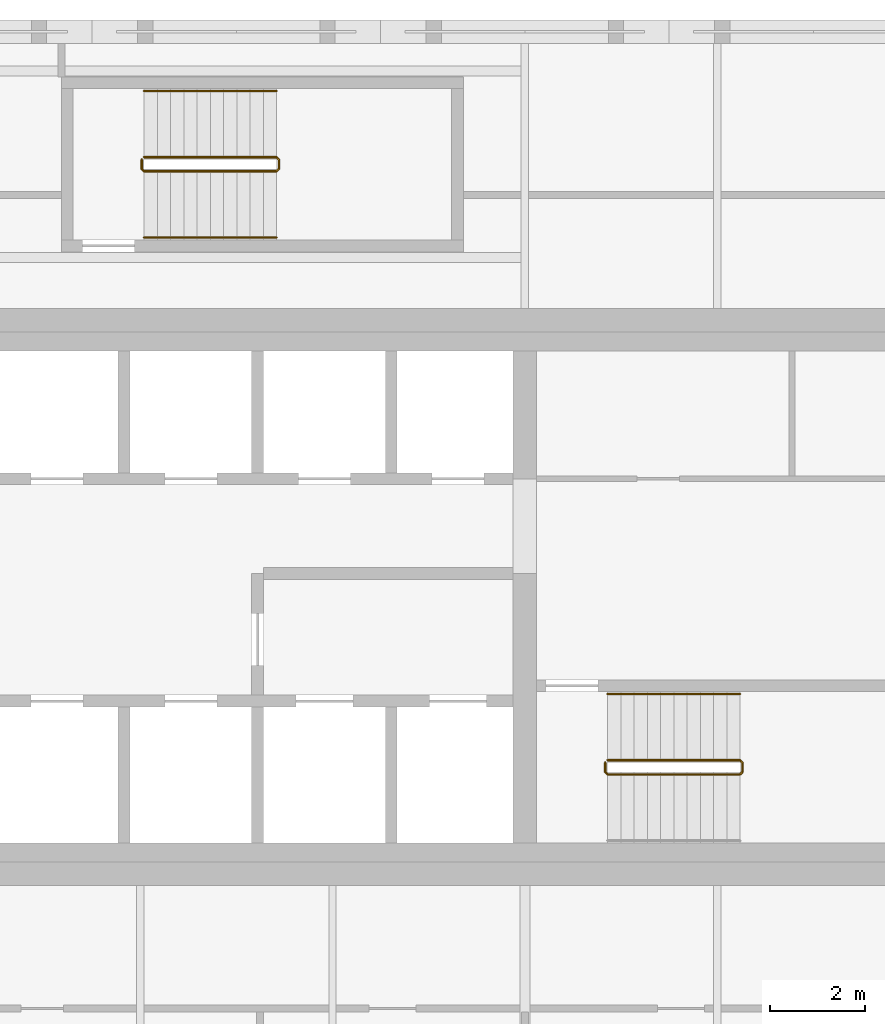
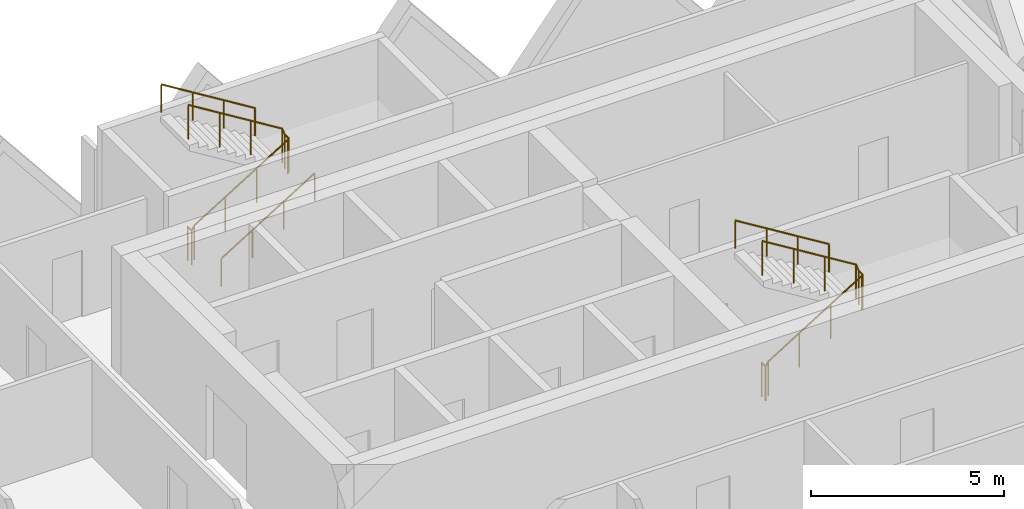
# One storey, part 18 of 18: 5 railings.
"""IFC4 building model written with IfcOpenShell, lengths in metres."""

from ifc_helpers import new_model, si_unit, direction, frame, origin, origin_2d, place, context, subcontext, project, spatial, circle, extrude, material, type_object, element, save


model = new_model("IFC4")

# Units and contexts
model_context = context("Model", 3, precision=1e-05, world=origin(), true_north=direction((0.0, 1.0)))
body_context = subcontext(model_context, "Body", "Model", "MODEL_VIEW")
ifc_project = project(units=[si_unit("LENGTHUNIT", "METRE"), si_unit("AREAUNIT", "SQUARE_METRE"), si_unit("VOLUMEUNIT", "CUBIC_METRE"), si_unit("PLANEANGLEUNIT", "RADIAN"), si_unit("MASSUNIT", "GRAM", prefix="KILO")], contexts=[model_context])

# Site, building, storey
site_placement = place(None, origin())
site = spatial("IfcSite", under=ifc_project, at=site_placement, CompositionType="ELEMENT")
building_placement = place(site_placement, origin())
building = spatial("IfcBuilding", under=site, at=building_placement, Name="Tessera Gate Towers", CompositionType="ELEMENT")
storey_placement = place(building_placement, frame((0.0, 0.0, 95.199951171875)))
storey = spatial("IfcBuildingStorey", under=building, at=storey_placement, Name="L23", CompositionType="ELEMENT", Elevation=95.199951171875)

# Railings
ifc_material_1 = material(Name="Steel 350W", Category="steel")
railing_type_1 = type_object("IfcRailingType", Name="STAIR GUARD 1100", PredefinedType="GUARDRAIL", material=ifc_material_1)
railing_1_placement = place(storey_placement, frame((111.5, 39.199951171875, 0.0)))
element("IfcRailing", 1, at=railing_1_placement, inside=storey, type_object=railing_type_1, Name="L23 ST6 stair guard 1", PredefinedType="GUARDRAIL", context=body_context, shape_type="SweptSolid", body=[
    extrude(circle(Radius=0.02392578125, at=origin_2d()), frame((0.0, 0.0, 1.076171875), z_axis=(0.0, -1.0, 0.0), x_axis=(1.0, 0.0, 0.0)), (0.0, 0.0, 1.0), 0.199951171875),
    extrude(circle(Radius=0.02392578125, at=origin_2d()), frame((0.0, -0.199951171875, 1.076171875), z_axis=(0.267953482034, -0.267953482034, 0.925419830635), x_axis=(0.707106781187, 0.707106781187, 0.0)), (0.0, 0.0, 1.0), 0.186767578125),
    extrude(circle(Radius=0.02392578125, at=origin_2d()), frame((0.050048828125, -0.25, 1.2490234375), z_axis=(0.851089632645, 0.0, 0.525020415988), x_axis=(0.0, 1.0, 0.0)), (0.0, 0.0, 1.0), 3.2900390625),
    extrude(circle(Radius=0.02392578125, at=origin_2d()), frame((2.85009765625, -0.25, 2.97607421875), z_axis=(0.705375805398, 0.708833529934, 0.0), x_axis=(-0.708833529934, 0.705375805398, 0.0)), (0.0, 0.0, 1.0), 0.070556640625),
    extrude(circle(Radius=0.02392578125, at=origin_2d()), frame((2.89990234375, -0.199951171875, 2.97607421875), z_axis=(0.0, 1.0, 0.0), x_axis=(-1.0, 0.0, 0.0)), (0.0, 0.0, 1.0), 0.199951171875),
    extrude(circle(Radius=0.02392578125, at=origin_2d()), frame((2.89990234375, 0.0, 2.97607421875), z_axis=(-0.267062837333, 0.268371968888, 0.925556009775), x_axis=(-0.708833529934, -0.705375805398, 0.0)), (0.0, 0.0, 1.0), 0.1865234375),
    extrude(circle(Radius=0.02392578125, at=origin_2d()), frame((2.85009765625, 0.050048828125, 3.14892578125), z_axis=(-0.851089632645, 0.0, 0.525020415988), x_axis=(0.0, -1.0, 0.0)), (0.0, 0.0, 1.0), 3.2900390625),
    extrude(circle(Radius=0.02099609375, at=origin_2d()), origin(), (0.0, 0.0, 1.0), 1.052001953125),
    extrude(circle(Radius=0.02099609375, at=origin_2d()), frame((0.0, -0.199951171875, 0.0)), (0.0, 0.0, 1.0), 1.052001953125),
    extrude(circle(Radius=0.02099609375, at=origin_2d()), frame((0.050048828125, -0.25, 0.1728515625)), (0.0, 0.0, 1.0), 1.052001953125),
    extrude(circle(Radius=0.02099609375, at=origin_2d()), frame((0.9833984375, -0.25, 0.74853515625)), (0.0, 0.0, 1.0), 1.052001953125),
    extrude(circle(Radius=0.02099609375, at=origin_2d()), frame((1.916748046875, -0.25, 1.324462890625)), (0.0, 0.0, 1.0), 1.052001953125),
    extrude(circle(Radius=0.02099609375, at=origin_2d()), frame((2.85009765625, -0.25, 1.900146484375)), (0.0, 0.0, 1.0), 1.052001953125),
    extrude(circle(Radius=0.02099609375, at=origin_2d()), frame((2.89990234375, -0.199951171875, 1.900146484375)), (0.0, 0.0, 1.0), 1.052001953125),
    extrude(circle(Radius=0.02099609375, at=origin_2d()), frame((2.89990234375, 0.0, 1.900146484375)), (0.0, 0.0, 1.0), 1.052001953125),
    extrude(circle(Radius=0.02099609375, at=origin_2d()), frame((2.85009765625, 0.050048828125, 2.07275390625)), (0.0, 0.0, 1.0), 1.052001953125),
    extrude(circle(Radius=0.02099609375, at=origin_2d()), frame((1.916748046875, 0.050048828125, 2.6484375)), (0.0, 0.0, 1.0), 1.052001953125),
    extrude(circle(Radius=0.02099609375, at=origin_2d()), frame((0.9833984375, 0.050048828125, 3.224365234375)), (0.0, 0.0, 1.0), 1.052001953125),
    extrude(circle(Radius=0.02099609375, at=origin_2d()), frame((0.050048828125, 0.050048828125, 3.800048828125)), (0.0, 0.0, 1.0), 1.052001953125),
])
railing_2_placement = place(storey_placement, frame((101.699951171875, 51.949951171875, 0.0)))
element("IfcRailing", 2, at=railing_2_placement, inside=storey, type_object=railing_type_1, Name="L23 ST7 stair guard 1", PredefinedType="GUARDRAIL", context=body_context, shape_type="SweptSolid", body=[
    extrude(circle(Radius=0.02392578125, at=origin_2d()), frame((0.0, 0.0, 1.076171875), z_axis=(0.0, -1.0, 0.0), x_axis=(1.0, 0.0, 0.0)), (0.0, 0.0, 1.0), 0.199951171875),
    extrude(circle(Radius=0.02392578125, at=origin_2d()), frame((0.0, -0.199951171875, 1.076171875), z_axis=(0.267953482034, -0.267953482034, 0.925419830635), x_axis=(0.707106781187, 0.707106781187, 0.0)), (0.0, 0.0, 1.0), 0.186767578125),
    extrude(circle(Radius=0.02392578125, at=origin_2d()), frame((0.050048828125, -0.25, 1.2490234375), z_axis=(0.851089632645, 0.0, 0.525020415988), x_axis=(0.0, 1.0, 0.0)), (0.0, 0.0, 1.0), 3.2900390625),
    extrude(circle(Radius=0.02392578125, at=origin_2d()), frame((2.85009765625, -0.25, 2.97607421875), z_axis=(0.707106781187, 0.707106781187, 0.0), x_axis=(-0.707106781187, 0.707106781187, 0.0)), (0.0, 0.0, 1.0), 0.07080078125),
    extrude(circle(Radius=0.02392578125, at=origin_2d()), frame((2.900146484375, -0.199951171875, 2.97607421875), z_axis=(0.0, 1.0, 0.0), x_axis=(-1.0, 0.0, 0.0)), (0.0, 0.0, 1.0), 0.199951171875),
    extrude(circle(Radius=0.02392578125, at=origin_2d()), frame((2.900146484375, 0.0, 2.97607421875), z_axis=(-0.268277960024, 0.268277960024, 0.925231793839), x_axis=(-0.707106781187, -0.707106781187, 0.0)), (0.0, 0.0, 1.0), 0.1865234375),
    extrude(circle(Radius=0.02392578125, at=origin_2d()), frame((2.85009765625, 0.050048828125, 3.14892578125), z_axis=(-0.851089632645, 0.0, 0.525020415988), x_axis=(0.0, -1.0, 0.0)), (0.0, 0.0, 1.0), 3.2900390625),
    extrude(circle(Radius=0.02099609375, at=origin_2d()), origin(), (0.0, 0.0, 1.0), 1.052001953125),
    extrude(circle(Radius=0.02099609375, at=origin_2d()), frame((0.0, -0.199951171875, 0.0)), (0.0, 0.0, 1.0), 1.052001953125),
    extrude(circle(Radius=0.02099609375, at=origin_2d()), frame((0.050048828125, -0.25, 0.1728515625)), (0.0, 0.0, 1.0), 1.052001953125),
    extrude(circle(Radius=0.02099609375, at=origin_2d()), frame((0.9833984375, -0.25, 0.74853515625)), (0.0, 0.0, 1.0), 1.052001953125),
    extrude(circle(Radius=0.02099609375, at=origin_2d()), frame((1.916748046875, -0.25, 1.324462890625)), (0.0, 0.0, 1.0), 1.052001953125),
    extrude(circle(Radius=0.02099609375, at=origin_2d()), frame((2.85009765625, -0.25, 1.900146484375)), (0.0, 0.0, 1.0), 1.052001953125),
    extrude(circle(Radius=0.02099609375, at=origin_2d()), frame((2.900146484375, -0.199951171875, 1.900146484375)), (0.0, 0.0, 1.0), 1.052001953125),
    extrude(circle(Radius=0.02099609375, at=origin_2d()), frame((2.900146484375, 0.0, 1.900146484375)), (0.0, 0.0, 1.0), 1.052001953125),
    extrude(circle(Radius=0.02099609375, at=origin_2d()), frame((2.85009765625, 0.050048828125, 2.07275390625)), (0.0, 0.0, 1.0), 1.052001953125),
    extrude(circle(Radius=0.02099609375, at=origin_2d()), frame((1.916748046875, 0.050048828125, 2.6484375)), (0.0, 0.0, 1.0), 1.052001953125),
    extrude(circle(Radius=0.02099609375, at=origin_2d()), frame((0.9833984375, 0.050048828125, 3.224365234375)), (0.0, 0.0, 1.0), 1.052001953125),
    extrude(circle(Radius=0.02099609375, at=origin_2d()), frame((0.050048828125, 0.050048828125, 3.800048828125)), (0.0, 0.0, 1.0), 1.052001953125),
])
ifc_material_2 = material(Name="Steel 350W", Category="steel")
railing_type_2 = type_object("IfcRailingType", Name="STAIR HANDRAIL 900", PredefinedType="HANDRAIL", material=ifc_material_2)
railing_3_placement = place(storey_placement, frame((114.35009765625, 40.64990234375, 2.07275390625)))
element("IfcRailing", 3, at=railing_3_placement, inside=storey, type_object=railing_type_2, Name="L23 ST6 stair handrail 2", PredefinedType="HANDRAIL", context=body_context, shape_type="SweptSolid", body=[
    extrude(circle(Radius=0.02392578125, at=origin_2d()), frame((0.0, 0.0, 0.8759765625), z_axis=(-0.851089632645, 0.0, 0.525020415988), x_axis=(0.0, -1.0, 0.0)), (0.0, 0.0, 1.0), 3.2900390625),
    extrude(circle(Radius=0.02099609375, at=origin_2d()), origin(), (0.0, 0.0, 1.0), 0.851806640625),
    extrude(circle(Radius=0.02099609375, at=origin_2d()), frame((-0.933349609375, 0.0, 0.57568359375)), (0.0, 0.0, 1.0), 0.851806640625),
    extrude(circle(Radius=0.02099609375, at=origin_2d()), frame((-1.86669921875, 0.0, 1.151611328125)), (0.0, 0.0, 1.0), 0.851806640625),
    extrude(circle(Radius=0.02099609375, at=origin_2d()), frame((-2.800048828125, 0.0, 1.727294921875)), (0.0, 0.0, 1.0), 0.851806640625),
])
railing_4_placement = place(storey_placement, frame((101.75, 50.300048828125, 0.1728515625)))
element("IfcRailing", 4, at=railing_4_placement, inside=storey, type_object=railing_type_2, Name="L23 ST7 stair handrail 1", PredefinedType="HANDRAIL", context=body_context, shape_type="SweptSolid", body=[
    extrude(circle(Radius=0.02392578125, at=origin_2d()), frame((0.0, 0.0, 0.8759765625), z_axis=(0.851089632645, 0.0, 0.525020415988), x_axis=(0.0, 1.0, 0.0)), (0.0, 0.0, 1.0), 3.2900390625),
    extrude(circle(Radius=0.02099609375, at=origin_2d()), origin(), (0.0, 0.0, 1.0), 0.851806640625),
    extrude(circle(Radius=0.02099609375, at=origin_2d()), frame((0.933349609375, 0.0, 0.57568359375)), (0.0, 0.0, 1.0), 0.851806640625),
    extrude(circle(Radius=0.02099609375, at=origin_2d()), frame((1.86669921875, 0.0, 1.151611328125)), (0.0, 0.0, 1.0), 0.851806640625),
    extrude(circle(Radius=0.02099609375, at=origin_2d()), frame((2.800048828125, 0.0, 1.727294921875)), (0.0, 0.0, 1.0), 0.851806640625),
])
railing_5_placement = place(storey_placement, frame((104.550048828125, 53.39990234375, 2.07275390625)))
element("IfcRailing", 5, at=railing_5_placement, inside=storey, type_object=railing_type_2, Name="L23 ST7 stair handrail 2", PredefinedType="HANDRAIL", context=body_context, shape_type="SweptSolid", body=[
    extrude(circle(Radius=0.02392578125, at=origin_2d()), frame((0.0, 0.0, 0.8759765625), z_axis=(-0.851089632645, 0.0, 0.525020415988), x_axis=(0.0, -1.0, 0.0)), (0.0, 0.0, 1.0), 3.2900390625),
    extrude(circle(Radius=0.02099609375, at=origin_2d()), origin(), (0.0, 0.0, 1.0), 0.851806640625),
    extrude(circle(Radius=0.02099609375, at=origin_2d()), frame((-0.933349609375, 0.0, 0.57568359375)), (0.0, 0.0, 1.0), 0.851806640625),
    extrude(circle(Radius=0.02099609375, at=origin_2d()), frame((-1.86669921875, 0.0, 1.151611328125)), (0.0, 0.0, 1.0), 0.851806640625),
    extrude(circle(Radius=0.02099609375, at=origin_2d()), frame((-2.800048828125, 0.0, 1.727294921875)), (0.0, 0.0, 1.0), 0.851806640625),
])

save(model, "model.ifc")
